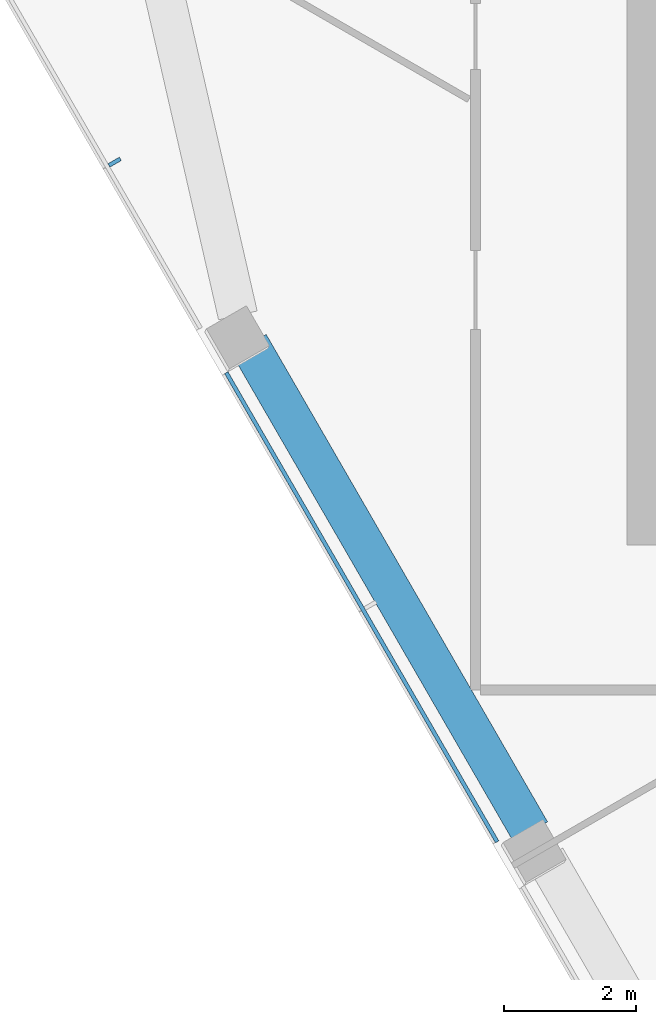
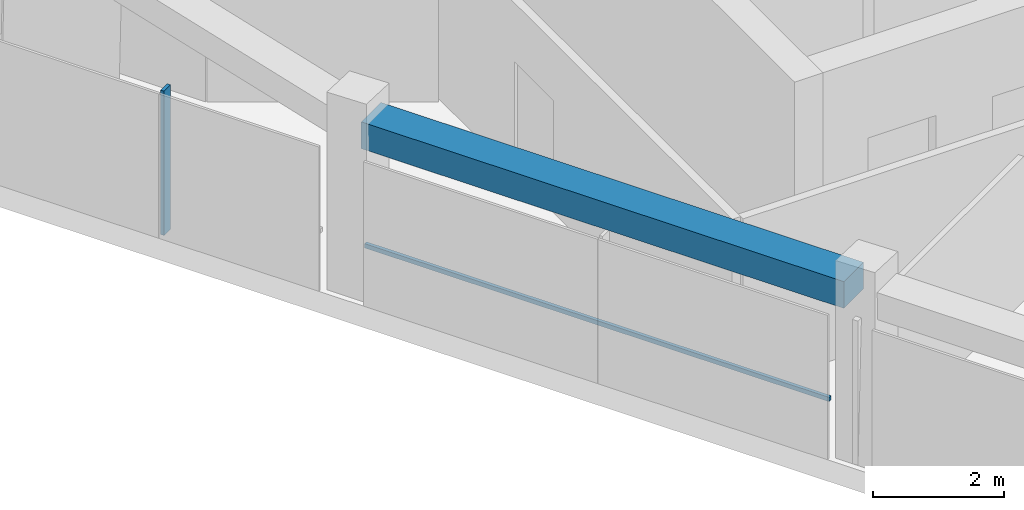
# One storey, part 3 of 9: 2 members, 1 beam, 1 element without a shape of its own.
"""IFC4 building model written with IfcOpenShell, lengths in metres."""

from ifc_helpers import new_model, si_unit, direction, frame, origin, origin_2d, place, context, subcontext, project, spatial, rectangle, extrude, material, layer, layer_set, material_profile, profile_set, type_object, element, aggregate, save


model = new_model("IFC4")

# Units and contexts
model_context = context("Model", 3, precision=1e-05, world=origin(), true_north=direction((0.0, 1.0)))
body_context = subcontext(model_context, "Body", "Model", "MODEL_VIEW")
ifc_project = project(units=[si_unit("LENGTHUNIT", "METRE"), si_unit("AREAUNIT", "SQUARE_METRE"), si_unit("VOLUMEUNIT", "CUBIC_METRE"), si_unit("PLANEANGLEUNIT", "RADIAN"), si_unit("MASSUNIT", "GRAM", prefix="KILO")], contexts=[model_context])

# Site, building, storey
site_placement = place(None, origin())
site = spatial("IfcSite", under=ifc_project, at=site_placement, CompositionType="ELEMENT")
building_placement = place(site_placement, origin())
building = spatial("IfcBuilding", under=site, at=building_placement, Name="Altiplano Prism Tower", CompositionType="ELEMENT")
storey_placement = place(building_placement, frame((0.0, 0.0, 302.199951171875)))
storey = spatial("IfcBuildingStorey", under=building, at=storey_placement, Name="L78", CompositionType="ELEMENT", Elevation=302.199951171875)

# Curtain wall, members
ifc_material_1 = material(Name="Aluminium and glass", Category="aluminium")
ifc_layer = layer(ifc_material_1, 0.303955078125)
ifc_layer_set = layer_set([ifc_layer], Name="Aluminium and glass")
curtain_wall_type = type_object("IfcCurtainWallType", Name="CW2 lounge-band unitised glazing", PredefinedType="NOTDEFINED", material=ifc_layer_set)
curtain_wall_placement = place(storey_placement, origin())
curtain_wall = element("IfcCurtainWall", 1, at=curtain_wall_placement, inside=storey, type_object=curtain_wall_type, Name="CW2 curtain wall south-west face L78", PredefinedType="NOTDEFINED")
ifc_material_2 = material(Name="Aluminium", Category="aluminium")
ifc_material_profile_1 = material_profile(ifc_material_2, rectangle(XDim=0.199951171875, YDim=0.06005859375, at=origin_2d()), Name="CW2 mullion 60 x 200")
ifc_profile_set_1 = profile_set([ifc_material_profile_1], Name="Aluminium")
member_type_1 = type_object("IfcMemberType", Name="CW2 mullion 60 x 200", PredefinedType="MULLION", material=ifc_profile_set_1)
member_1_placement = place(storey_placement, frame((64.72314453125, 98.7109375, 0.0), z_axis=(0.0, 0.0, 1.0), x_axis=(0.866025400564, 0.500000005577, 0.0)))
member_1 = element("IfcMember", 2, at=member_1_placement, type_object=member_type_1, Name="CW2 mullion", PredefinedType="MULLION", context=body_context, shape_type="SweptSolid", body=[
    extrude(rectangle(XDim=0.199951171875, YDim=0.06005859375, at=origin_2d()), origin(), (0.0, 0.0, 1.0), 2.699951171875),
])
ifc_material_profile_2 = material_profile(ifc_material_2, rectangle(XDim=0.06005859375, YDim=0.080078125, at=origin_2d()), Name="CW2 transom 80 x 60")
ifc_profile_set_2 = profile_set([ifc_material_profile_2], Name="Aluminium")
member_type_2 = type_object("IfcMemberType", Name="CW2 transom 80 x 60", PredefinedType="USERDEFINED", material=ifc_profile_set_2)
member_2_placement = place(storey_placement, frame((66.41748046875, 95.515869140625, 1.10009765625), z_axis=(0.500013829788, -0.866017419005, 0.0), x_axis=(0.866017419005, 0.500013829788, 0.0)))
member_2 = element("IfcMember", 3, at=member_2_placement, type_object=member_type_2, Name="CW2 transom", ObjectType="TRANSOM", PredefinedType="USERDEFINED", context=body_context, shape_type="SweptSolid", body=[
    extrude(rectangle(XDim=0.06005859375, YDim=0.080078125, at=origin_2d()), origin(), (0.0, 0.0, 1.0), 8.219970703125),
])
aggregate(curtain_wall, [member_1, member_2])

# Beam
ifc_material_3 = material(Name="Concrete C60/75", Category="concrete")
ifc_material_profile_3 = material_profile(ifc_material_3, rectangle(XDim=0.60009765625, YDim=0.5, at=origin_2d()), Name="Edge beam 600x500")
ifc_profile_set_3 = profile_set([ifc_material_profile_3], Name="Concrete C60/75")
beam_type = type_object("IfcBeamType", Name="Edge beam 600x500", PredefinedType="SPANDREL", material=ifc_profile_set_3)
beam_placement = place(storey_placement, frame((66.762939453125, 95.94677734375, 2.949951171875), z_axis=(0.500007039007, -0.866021339774, 0.0), x_axis=(0.866021339774, 0.500007039007, 0.0)))
element("IfcBeam", 4, at=beam_placement, inside=storey, type_object=beam_type, Name="Edge beam P11-P12 L79", PredefinedType="SPANDREL", context=body_context, shape_type="SweptSolid", body=[
    extrude(rectangle(XDim=0.60009765625, YDim=0.5, at=origin_2d()), origin(), (0.0, 0.0, 1.0), 8.5400390625),
])

save(model, "model.ifc")
